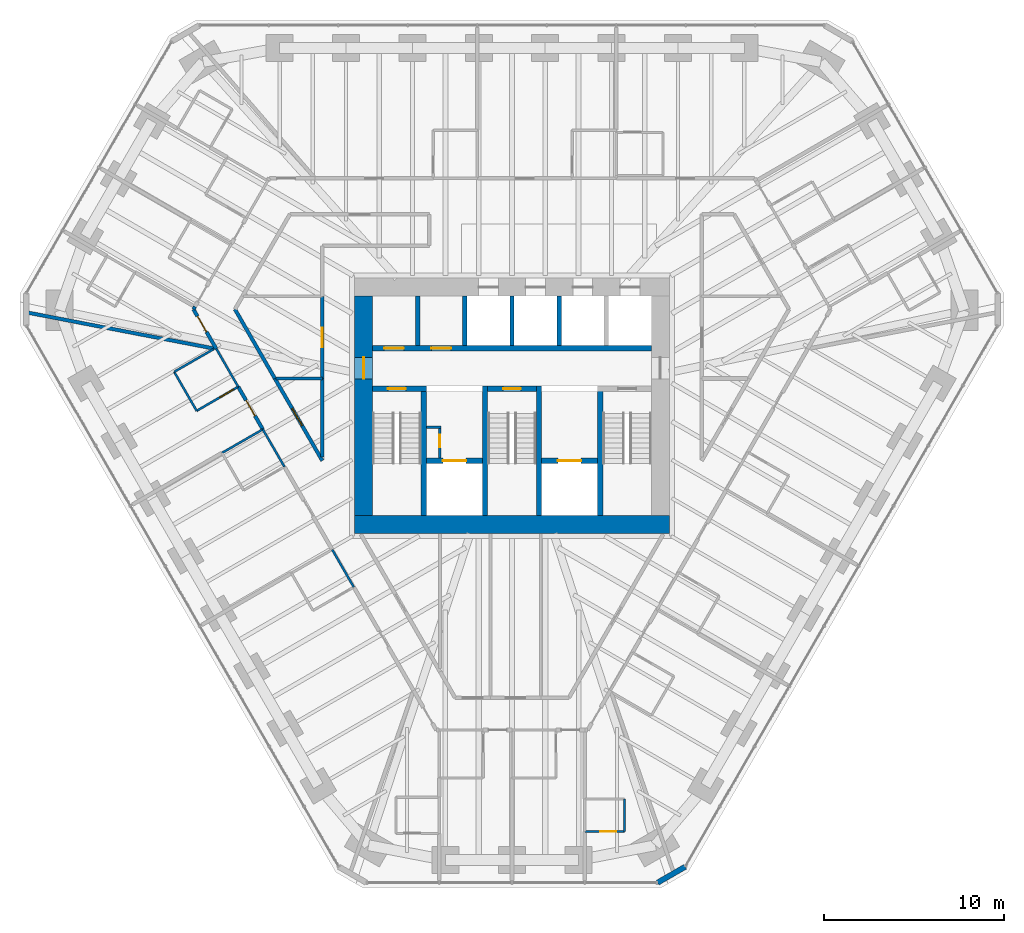
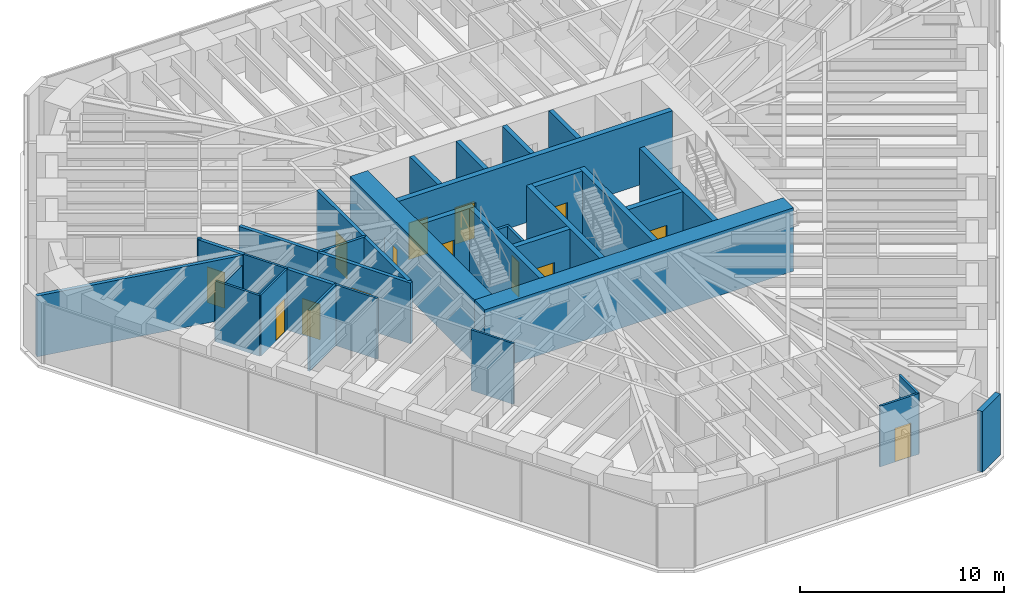
# One storey, part 12 of 17: 36 walls, 14 doors, 14 openings.
"""IFC4 building model written with IfcOpenShell, lengths in metres."""

from ifc_helpers import new_model, si_unit, direction, frame, frame_2d, origin, place, context, subcontext, project, spatial, rectangle, extrude, material, layer, layer_set, type_object, element, fill, save


model = new_model("IFC4")

# Units and contexts
model_context = context("Model", 3, precision=1e-05, world=origin(), true_north=direction((0.0, 1.0)))
body_context = subcontext(model_context, "Body", "Model", "MODEL_VIEW")
ifc_project = project(units=[si_unit("LENGTHUNIT", "METRE"), si_unit("AREAUNIT", "SQUARE_METRE"), si_unit("VOLUMEUNIT", "CUBIC_METRE"), si_unit("PLANEANGLEUNIT", "RADIAN"), si_unit("MASSUNIT", "GRAM", prefix="KILO")], contexts=[model_context])

# Site, building, storey
site_placement = place(None, origin())
site = spatial("IfcSite", under=ifc_project, at=site_placement, CompositionType="ELEMENT")
building_placement = place(site_placement, origin())
building = spatial("IfcBuilding", under=site, at=building_placement, Name="Sandreach Pilgrim Tower", CompositionType="ELEMENT")
storey_placement = place(building_placement, frame((0.0, 0.0, 194.60009765625)))
storey = spatial("IfcBuildingStorey", under=building, at=storey_placement, Name="L48", CompositionType="ELEMENT", Elevation=194.60009765625)

# Walls
ifc_material_1 = material(Name="Gypsum board on steel studs", Category="steel")
ifc_layer_1 = layer(ifc_material_1, 0.14990234375)
ifc_layer_set_1 = layer_set([ifc_layer_1], Name="Back of house wall 150")
wall_type_1 = type_object("IfcWallType", Name="Back of house wall 150", PredefinedType="PARTITIONING", material=ifc_layer_set_1)
wall_1_placement = place(storey_placement, frame((-10.550048828125, 1.52001953125, 0.0), z_axis=(0.0, 0.0, 1.0), x_axis=(-1.0, 0.0, 0.0)))
element("IfcWall", 1, at=wall_1_placement, inside=storey, type_object=wall_type_1, Name="Back of house wall L48-051", PredefinedType="PARTITIONING", context=body_context, shape_type="SweptSolid", body=[
    extrude(rectangle(XDim=2.5849609375, YDim=0.14990234375, at=frame_2d((1.29248046875, 0.0))), origin(), (0.0, 0.0, 1.0), 3.639892578125),
])
ifc_material_2 = material(Name="Moisture-resistant gypsum board on steel studs", Category="steel")
ifc_layer_2 = layer(ifc_material_2, 0.1201171875)
ifc_layer_set_2 = layer_set([ifc_layer_2], Name="Bathroom partition 120")
wall_type_2 = type_object("IfcWallType", Name="Bathroom partition 120", PredefinedType="PARTITIONING", material=ifc_layer_set_2)
wall_2_placement = place(storey_placement, frame((-18.7900390625, 1.889892578125, 0.0), z_axis=(0.0, 0.0, 1.0), x_axis=(0.499159685399, -0.866510016372, 0.0)))
element("IfcWall", 2, at=wall_2_placement, inside=storey, type_object=wall_type_2, Name="Bathroom partition L48-012", PredefinedType="PARTITIONING", context=body_context, shape_type="SweptSolid", body=[
    extrude(rectangle(XDim=2.504150390625, YDim=0.1201171875, at=frame_2d((1.251953125, 0.0))), origin(), (0.0, 0.0, 1.0), 3.639892578125),
])

# Wall, opening, door
wall_3_placement = place(storey_placement, frame((-17.5400390625, -0.280029296875, 0.0), z_axis=(0.0, 0.0, 1.0), x_axis=(0.86498992408, 0.501789229896, 0.0)))
wall_3 = element("IfcWall", 3, at=wall_3_placement, inside=storey, type_object=wall_type_2, Name="Bathroom partition L48-019", PredefinedType="PARTITIONING", context=body_context, shape_type="SweptSolid", body=[
    extrude(rectangle(XDim=2.670654296875, YDim=0.1201171875, at=frame_2d((1.33544921875, 0.0))), origin(), (0.0, 0.0, 1.0), 3.639892578125),
])
opening_1_placement = place(wall_3_placement, frame((1.470458984375, 0.0, 0.0)))
opening_1 = element("IfcOpeningElement", 4, at=opening_1_placement, cuts=wall_3, Name="Opening D09-16B", PredefinedType="OPENING", context=body_context, shape_type="SweptSolid", body=[
    extrude(rectangle(XDim=0.89990234375, YDim=2.030029296875, at=frame_2d((0.449951171875, 1.01513671875))), frame((0.0, 0.06005859375, 0.0), z_axis=(0.0, -1.0, 0.0), x_axis=(1.0, 0.0, 0.0)), (0.0, 0.0, 1.0), 0.1201171875),
])
ifc_material_3 = material(Name="Timber door, steel frame", Category="steel")
door_type_1 = type_object("IfcDoorType", Name="Bathroom door", OperationType="SINGLE_SWING_LEFT", PredefinedType="DOOR", material=ifc_material_3)
door_1_placement = place(opening_1_placement, origin())
door_1 = element("IfcDoor", 5, at=door_1_placement, inside=storey, type_object=door_type_1, Name="Door 4816B", OperationType="SINGLE_SWING_RIGHT", OverallHeight=2.030029296875, OverallWidth=0.89990234375, PredefinedType="DOOR", context=body_context, shape_type="SweptSolid", body=[
    extrude(rectangle(XDim=0.89990234375, YDim=2.030029296875, at=frame_2d((0.449951171875, 1.01513671875))), frame((0.0, 0.02490234375, 0.0), z_axis=(0.0, -1.0, 0.0), x_axis=(1.0, 0.0, 0.0)), (0.0, 0.0, 1.0), 0.050048828125),
])
fill(opening_1, door_1)

# Walls
wall_4_placement = place(storey_placement, frame((-16.623779296875, 3.1376953125, 0.0), z_axis=(0.0, 0.0, 1.0), x_axis=(-0.866525185869, -0.499133351175, 0.0)))
element("IfcWall", 6, at=wall_4_placement, inside=storey, type_object=wall_type_2, Name="Bathroom partition L48-026", PredefinedType="PARTITIONING", context=body_context, shape_type="SweptSolid", body=[
    extrude(rectangle(XDim=2.5, YDim=0.1201171875, at=frame_2d((1.25, 0.0))), origin(), (0.0, 0.0, 1.0), 3.037841796875),
])
wall_5_placement = place(storey_placement, frame((-16.44677734375, 3.171875, 0.0), z_axis=(0.0, 0.0, 1.0), x_axis=(0.499242543719, -0.86646227993, 0.0)))
element("IfcWall", 7, at=wall_5_placement, inside=storey, type_object=wall_type_2, Name="Bathroom partition L48-027", PredefinedType="PARTITIONING", context=body_context, shape_type="SweptSolid", body=[
    extrude(rectangle(XDim=2.437255859375, YDim=0.1201171875, at=frame_2d((1.21875, 0.0))), origin(), (0.0, 0.0, 1.0), 3.639892578125),
])
wall_6_placement = place(storey_placement, frame((-16.1298828125, -2.6201171875, 0.0), z_axis=(0.0, 0.0, 1.0), x_axis=(0.866114241029, 0.499846097802, 0.0)))
element("IfcWall", 8, at=wall_6_placement, inside=storey, type_object=wall_type_2, Name="Bathroom partition L48-029", PredefinedType="PARTITIONING", context=body_context, shape_type="SweptSolid", body=[
    extrude(rectangle(XDim=2.620849609375, YDim=0.1201171875, at=frame_2d((1.310546875, 0.0))), origin(), (0.0, 0.0, 1.0), 3.639892578125),
])
for number, where, z_axis, x_axis, name in (
    (9, (-13.860107421875, -1.31005859375, 0.0), (0.0, 0.0, 1.0), (0.499813401482, -0.866133109688, 0.0), "Bathroom partition L48-040"),
    (10, (-10.0, -8.0, 0.0), (0.0, 0.0, 1.0), (0.498862637731, -0.866681065142, 0.0), "Bathroom partition L48-055"),
):
    element("IfcWall", number, at=place(storey_placement, frame(where, z_axis=z_axis, x_axis=x_axis)), inside=storey, type_object=wall_type_2, Name=name, PredefinedType="PARTITIONING", context=body_context, shape_type="SweptSolid", body=[
        extrude(rectangle(XDim=2.4013671875, YDim=0.1201171875, at=frame_2d((1.20068359375, 0.0))), origin(), (0.0, 0.0, 1.0), 3.639892578125),
    ])

# Wall, opening, door
wall_7_placement = place(storey_placement, frame((4.050048828125, -23.679931640625, 0.0), z_axis=(0.0, 0.0, 1.0), x_axis=(1.0, 0.0, 0.0)))
wall_7 = element("IfcWall", 11, at=wall_7_placement, inside=storey, type_object=wall_type_2, Name="Bathroom partition L48-097", PredefinedType="PARTITIONING", context=body_context, shape_type="SweptSolid", body=[
    extrude(rectangle(XDim=2.199951171875, YDim=0.1201171875, at=frame_2d((1.10009765625, 0.0))), origin(), (0.0, 0.0, 1.0), 3.639892578125),
])
opening_2_placement = place(wall_7_placement, frame((0.85009765625, 0.0, 0.0)))
opening_2 = element("IfcOpeningElement", 12, at=opening_2_placement, cuts=wall_7, Name="Opening D09-10B", PredefinedType="OPENING", context=body_context, shape_type="SweptSolid", body=[
    extrude(rectangle(XDim=0.89990234375, YDim=2.030029296875, at=frame_2d((0.449951171875, 1.01513671875))), frame((0.0, 0.06005859375, 0.0), z_axis=(0.0, -1.0, 0.0), x_axis=(1.0, 0.0, 0.0)), (0.0, 0.0, 1.0), 0.1201171875),
])
door_2_placement = place(opening_2_placement, origin())
door_2 = element("IfcDoor", 13, at=door_2_placement, inside=storey, type_object=door_type_1, Name="Door 4810B", OperationType="SINGLE_SWING_RIGHT", OverallHeight=2.030029296875, OverallWidth=0.89990234375, PredefinedType="DOOR", context=body_context, shape_type="SweptSolid", body=[
    extrude(rectangle(XDim=0.89990234375, YDim=2.030029296875, at=frame_2d((0.449951171875, 1.01513671875))), frame((0.0, 0.02490234375, 0.0), z_axis=(0.0, -1.0, 0.0), x_axis=(1.0, 0.0, 0.0)), (0.0, 0.0, 1.0), 0.050048828125),
])
fill(opening_2, door_2)

# Walls
wall_8_placement = place(storey_placement, frame((6.25, -23.679931640625, 0.0), z_axis=(0.0, 0.0, 1.0), x_axis=(0.0, 1.0, 0.0)))
element("IfcWall", 14, at=wall_8_placement, inside=storey, type_object=wall_type_2, Name="Bathroom partition L48-110", PredefinedType="PARTITIONING", context=body_context, shape_type="SweptSolid", body=[
    extrude(rectangle(XDim=1.809814453125, YDim=0.1201171875, at=frame_2d((0.90478515625, 0.0))), origin(), (0.0, 0.0, 1.0), 3.639892578125),
])
ifc_material_4 = material(Name="Concrete 10000 psi", Category="concrete")
ifc_layer_3 = layer(ifc_material_4, 0.300048828125)
ifc_layer_set_3 = layer_set([ifc_layer_3], Name="Core inner wall 300")
wall_type_3 = type_object("IfcWallType", Name="Core inner wall 300", PredefinedType="SHEAR", material=ifc_layer_set_3)
for number, where, z_axis, x_axis, name in (
    (15, (-4.89990234375, -6.10009765625, 0.0), (0.0, 0.0, 1.0), (0.0, 1.0, 0.0), "Core wall I0 L48"),
    (16, (-1.5, -6.10009765625, 0.0), (0.0, 0.0, 1.0), (0.0, 1.0, 0.0), "Core wall I1 L48"),
    (17, (1.5, -6.10009765625, 0.0), (0.0, 0.0, 1.0), (0.0, 1.0, 0.0), "Core wall I2 L48"),
    (18, (4.89990234375, -6.10009765625, 0.0), (0.0, 0.0, 1.0), (0.0, 1.0, 0.0), "Core wall I3 L48"),
):
    element("IfcWall", number, at=place(storey_placement, frame(where, z_axis=z_axis, x_axis=x_axis)), inside=storey, type_object=wall_type_3, Name=name, PredefinedType="SHEAR", context=body_context, shape_type="SweptSolid", body=[
        extrude(rectangle(XDim=7.2001953125, YDim=0.300048828125, at=frame_2d((3.60009765625, 0.0))), origin(), (0.0, 0.0, 1.0), 3.7998046875),
    ])

# Wall, opening, door
wall_9_placement = place(storey_placement, frame((-7.75, 0.949951171875, 0.0), z_axis=(0.0, 0.0, 1.0), x_axis=(1.0, 0.0, 0.0)))
wall_9 = element("IfcWall", 19, at=wall_9_placement, inside=storey, type_object=wall_type_3, Name="Core wall SN1 L48", PredefinedType="SHEAR", context=body_context, shape_type="SweptSolid", body=[
    extrude(rectangle(XDim=3.0, YDim=0.300048828125, at=frame_2d((1.5, 0.0))), origin(), (0.0, 0.0, 1.0), 3.7998046875),
])
opening_3_placement = place(wall_9_placement, frame((0.85009765625, 0.0, 0.0)))
opening_3 = element("IfcOpeningElement", 20, at=opening_3_placement, cuts=wall_9, Name="Opening D10S-ST1", PredefinedType="OPENING", context=body_context, shape_type="SweptSolid", body=[
    extrude(rectangle(XDim=1.0, YDim=2.199951171875, at=frame_2d((0.5, 1.10009765625))), frame((0.0, 0.14990234375, 0.0), z_axis=(0.0, -1.0, 0.0), x_axis=(1.0, 0.0, 0.0)), (0.0, 0.0, 1.0), 0.300048828125),
])
ifc_material_5 = material(Name="Steel door and frame", Category="steel")
door_type_2 = type_object("IfcDoorType", Name="Stair door", OperationType="SINGLE_SWING_LEFT", PredefinedType="DOOR", material=ifc_material_5)
door_3_placement = place(opening_3_placement, origin())
door_3 = element("IfcDoor", 21, at=door_3_placement, inside=storey, type_object=door_type_2, Name="Stair door ST1 L48", OperationType="SINGLE_SWING_LEFT", OverallHeight=2.199951171875, OverallWidth=1.0, PredefinedType="DOOR", context=body_context, shape_type="SweptSolid", body=[
    extrude(rectangle(XDim=1.0, YDim=2.199951171875, at=frame_2d((0.5, 1.10009765625))), frame((0.0, 0.02490234375, 0.0), z_axis=(0.0, -1.0, 0.0), x_axis=(1.0, 0.0, 0.0)), (0.0, 0.0, 1.0), 0.050048828125),
])
fill(opening_3, door_3)

wall_10_placement = place(storey_placement, frame((-1.35009765625, 0.949951171875, 0.0), z_axis=(0.0, 0.0, 1.0), x_axis=(1.0, 0.0, 0.0)))
wall_10 = element("IfcWall", 22, at=wall_10_placement, inside=storey, type_object=wall_type_3, Name="Core wall SN3 L48", PredefinedType="SHEAR", context=body_context, shape_type="SweptSolid", body=[
    extrude(rectangle(XDim=2.7001953125, YDim=0.300048828125, at=frame_2d((1.35009765625, 0.0))), origin(), (0.0, 0.0, 1.0), 3.7998046875),
])
opening_4_placement = place(wall_10_placement, frame((0.85009765625, 0.0, 0.0)))
opening_4 = element("IfcOpeningElement", 23, at=opening_4_placement, cuts=wall_10, Name="Opening D10S-ST3", PredefinedType="OPENING", context=body_context, shape_type="SweptSolid", body=[
    extrude(rectangle(XDim=1.0, YDim=2.199951171875, at=frame_2d((0.5, 1.10009765625))), frame((0.0, 0.14990234375, 0.0), z_axis=(0.0, -1.0, 0.0), x_axis=(1.0, 0.0, 0.0)), (0.0, 0.0, 1.0), 0.300048828125),
])
door_4_placement = place(opening_4_placement, origin())
door_4 = element("IfcDoor", 24, at=door_4_placement, inside=storey, type_object=door_type_2, Name="Stair door ST3 L48", OperationType="SINGLE_SWING_LEFT", OverallHeight=2.199951171875, OverallWidth=1.0, PredefinedType="DOOR", context=body_context, shape_type="SweptSolid", body=[
    extrude(rectangle(XDim=1.0, YDim=2.199951171875, at=frame_2d((0.5, 1.10009765625))), frame((0.0, 0.02490234375, 0.0), z_axis=(0.0, -1.0, 0.0), x_axis=(1.0, 0.0, 0.0)), (0.0, 0.0, 1.0), 0.050048828125),
])
fill(opening_4, door_4)

wall_11_placement = place(storey_placement, frame((-4.75, -3.050048828125, 0.0), z_axis=(0.0, 0.0, 1.0), x_axis=(1.0, 0.0, 0.0)))
wall_11 = element("IfcWall", 25, at=wall_11_placement, inside=storey, type_object=wall_type_3, Name="Core wall FL1 L48", PredefinedType="SHEAR", context=body_context, shape_type="SweptSolid", body=[
    extrude(rectangle(XDim=3.10009765625, YDim=0.300048828125, at=frame_2d((1.550048828125, 0.0))), origin(), (0.0, 0.0, 1.0), 3.7998046875),
])
opening_5_placement = place(wall_11_placement, frame((0.89990234375, 0.0, 0.0)))
opening_5 = element("IfcOpeningElement", 26, at=opening_5_placement, cuts=wall_11, Name="Opening LD13", PredefinedType="OPENING", context=body_context, shape_type="SweptSolid", body=[
    extrude(rectangle(XDim=1.300048828125, YDim=2.10009765625, at=frame_2d((0.64990234375, 1.050048828125))), frame((0.0, 0.14990234375, 0.0), z_axis=(0.0, -1.0, 0.0), x_axis=(1.0, 0.0, 0.0)), (0.0, 0.0, 1.0), 0.300048828125),
])
ifc_material_6 = material(Name="Steel door and frame", Category="steel")
door_type_3 = type_object("IfcDoorType", Name="Fire service lift landing door", OperationType="DOUBLE_DOOR_SLIDING", PredefinedType="DOOR", material=ifc_material_6)
door_5_placement = place(opening_5_placement, origin())
door_5 = element("IfcDoor", 27, at=door_5_placement, inside=storey, type_object=door_type_3, Name="Lift landing door FS1 L48", OperationType="DOUBLE_DOOR_SLIDING", OverallHeight=2.10009765625, OverallWidth=1.300048828125, PredefinedType="DOOR", context=body_context, shape_type="SweptSolid", body=[
    extrude(rectangle(XDim=1.300048828125, YDim=2.10009765625, at=frame_2d((0.64990234375, 1.050048828125))), frame((0.0, 0.02490234375, 0.0), z_axis=(0.0, -1.0, 0.0), x_axis=(1.0, 0.0, 0.0)), (0.0, 0.0, 1.0), 0.050048828125),
])
fill(opening_5, door_5)

wall_12_placement = place(storey_placement, frame((1.64990234375, -3.050048828125, 0.0), z_axis=(0.0, 0.0, 1.0), x_axis=(1.0, 0.0, 0.0)))
wall_12 = element("IfcWall", 28, at=wall_12_placement, inside=storey, type_object=wall_type_3, Name="Core wall FL2 L48", PredefinedType="SHEAR", context=body_context, shape_type="SweptSolid", body=[
    extrude(rectangle(XDim=3.10009765625, YDim=0.300048828125, at=frame_2d((1.550048828125, 0.0))), origin(), (0.0, 0.0, 1.0), 3.7998046875),
])
opening_6_placement = place(wall_12_placement, frame((0.89990234375, 0.0, 0.0)))
opening_6 = element("IfcOpeningElement", 29, at=opening_6_placement, cuts=wall_12, Name="Opening LD13", PredefinedType="OPENING", context=body_context, shape_type="SweptSolid", body=[
    extrude(rectangle(XDim=1.300048828125, YDim=2.10009765625, at=frame_2d((0.64990234375, 1.050048828125))), frame((0.0, 0.14990234375, 0.0), z_axis=(0.0, -1.0, 0.0), x_axis=(1.0, 0.0, 0.0)), (0.0, 0.0, 1.0), 0.300048828125),
])
door_6_placement = place(opening_6_placement, origin())
door_6 = element("IfcDoor", 30, at=door_6_placement, inside=storey, type_object=door_type_3, Name="Lift landing door FS2 L48", OperationType="DOUBLE_DOOR_SLIDING", OverallHeight=2.10009765625, OverallWidth=1.300048828125, PredefinedType="DOOR", context=body_context, shape_type="SweptSolid", body=[
    extrude(rectangle(XDim=1.300048828125, YDim=2.10009765625, at=frame_2d((0.64990234375, 1.050048828125))), frame((0.0, 0.02490234375, 0.0), z_axis=(0.0, -1.0, 0.0), x_axis=(1.0, 0.0, 0.0)), (0.0, 0.0, 1.0), 0.050048828125),
])
fill(opening_6, door_6)

# Wall, openings, doors
wall_13_placement = place(storey_placement, frame((-7.75, 3.199951171875, 0.0), z_axis=(0.0, 0.0, 1.0), x_axis=(1.0, 0.0, 0.0)))
wall_13 = element("IfcWall", 31, at=wall_13_placement, inside=storey, type_object=wall_type_3, Name="Core wall PN L48", PredefinedType="SHEAR", context=body_context, shape_type="SweptSolid", body=[
    extrude(rectangle(XDim=15.5, YDim=0.300048828125, at=frame_2d((7.75, 0.0))), origin(), (0.0, 0.0, 1.0), 3.7998046875),
])
opening_7_placement = place(wall_13_placement, frame((0.637451171875, 0.0, 0.0)))
opening_7 = element("IfcOpeningElement", 32, at=opening_7_placement, cuts=wall_13, Name="Opening D11L", PredefinedType="OPENING", context=body_context, shape_type="SweptSolid", body=[
    extrude(rectangle(XDim=1.10009765625, YDim=2.199951171875, at=frame_2d((0.550048828125, 1.10009765625))), frame((0.0, 0.14990234375, 0.0), z_axis=(0.0, -1.0, 0.0), x_axis=(1.0, 0.0, 0.0)), (0.0, 0.0, 1.0), 0.300048828125),
])
opening_8_placement = place(wall_13_placement, frame((3.262451171875, 0.0, 0.0)))
opening_8 = element("IfcOpeningElement", 33, at=opening_8_placement, cuts=wall_13, Name="Opening D11L", PredefinedType="OPENING", context=body_context, shape_type="SweptSolid", body=[
    extrude(rectangle(XDim=1.10009765625, YDim=2.199951171875, at=frame_2d((0.550048828125, 1.10009765625))), frame((0.0, 0.14990234375, 0.0), z_axis=(0.0, -1.0, 0.0), x_axis=(1.0, 0.0, 0.0)), (0.0, 0.0, 1.0), 0.300048828125),
])
ifc_material_7 = material(Name="Steel door and frame, smoke seals", Category="steel")
door_type_4 = type_object("IfcDoorType", Name="Core room door", OperationType="SINGLE_SWING_LEFT", PredefinedType="DOOR", material=ifc_material_7)
door_7_placement = place(opening_7_placement, origin())
door_7 = element("IfcDoor", 34, at=door_7_placement, inside=storey, type_object=door_type_4, Name="Door guest pantry 48K1", OperationType="SINGLE_SWING_LEFT", OverallHeight=2.199951171875, OverallWidth=1.10009765625, PredefinedType="DOOR", context=body_context, shape_type="SweptSolid", body=[
    extrude(rectangle(XDim=1.10009765625, YDim=2.199951171875, at=frame_2d((0.550048828125, 1.10009765625))), frame((0.0, 0.02490234375, 0.0), z_axis=(0.0, -1.0, 0.0), x_axis=(1.0, 0.0, 0.0)), (0.0, 0.0, 1.0), 0.050048828125),
])
fill(opening_7, door_7)
door_8_placement = place(opening_8_placement, origin())
door_8 = element("IfcDoor", 35, at=door_8_placement, inside=storey, type_object=door_type_4, Name="Door it room 48K2", OperationType="SINGLE_SWING_LEFT", OverallHeight=2.199951171875, OverallWidth=1.10009765625, PredefinedType="DOOR", context=body_context, shape_type="SweptSolid", body=[
    extrude(rectangle(XDim=1.10009765625, YDim=2.199951171875, at=frame_2d((0.550048828125, 1.10009765625))), frame((0.0, 0.02490234375, 0.0), z_axis=(0.0, -1.0, 0.0), x_axis=(1.0, 0.0, 0.0)), (0.0, 0.0, 1.0), 0.050048828125),
])
fill(opening_8, door_8)

# Wall
ifc_material_8 = material(Name="Concrete 10000 psi", Category="concrete")
ifc_layer_4 = layer(ifc_material_8, 1.0)
ifc_layer_set_4 = layer_set([ifc_layer_4], Name="Core wall 1000")
wall_type_4 = type_object("IfcWallType", Name="Core wall 1000", PredefinedType="SHEAR", material=ifc_layer_set_4)
wall_14_placement = place(storey_placement, frame((-8.75, -6.60009765625, 0.0), z_axis=(0.0, 0.0, 1.0), x_axis=(1.0, 0.0, 0.0)))
element("IfcWall", 36, at=wall_14_placement, inside=storey, type_object=wall_type_4, Name="Core wall S L48", PredefinedType="SHEAR", context=body_context, shape_type="SweptSolid", body=[
    extrude(rectangle(XDim=17.5, YDim=1.0, at=frame_2d((8.75, 0.0))), origin(), (0.0, 0.0, 1.0), 3.7998046875),
])

# Wall, opening, door
wall_15_placement = place(storey_placement, frame((-8.25, -6.10009765625, 0.0), z_axis=(0.0, 0.0, 1.0), x_axis=(0.0, 1.0, 0.0)))
wall_15 = element("IfcWall", 37, at=wall_15_placement, inside=storey, type_object=wall_type_4, Name="Core wall W L48", PredefinedType="SHEAR", context=body_context, shape_type="SweptSolid", body=[
    extrude(rectangle(XDim=12.2001953125, YDim=1.0, at=frame_2d((6.10009765625, 0.0))), origin(), (0.0, 0.0, 1.0), 3.7998046875),
])
opening_9_placement = place(wall_15_placement, frame((7.60009765625, 0.0, 0.0)))
opening_9 = element("IfcOpeningElement", 38, at=opening_9_placement, cuts=wall_15, Name="Opening D12F-W", PredefinedType="OPENING", context=body_context, shape_type="SweptSolid", body=[
    extrude(rectangle(XDim=1.199951171875, YDim=2.199951171875, at=frame_2d((0.60009765625, 1.10009765625))), frame((0.0, 0.5, 0.0), z_axis=(0.0, -1.0, 0.0), x_axis=(1.0, 0.0, 0.0)), (0.0, 0.0, 1.0), 1.0),
])
ifc_material_9 = material(Name="Steel door and frame", Category="steel")
door_type_5 = type_object("IfcDoorType", Name="Fire lobby door", OperationType="SINGLE_SWING_LEFT", PredefinedType="DOOR", material=ifc_material_9)
door_9_placement = place(opening_9_placement, origin())
door_9 = element("IfcDoor", 39, at=door_9_placement, inside=storey, type_object=door_type_5, Name="Fire service lobby door W L48", OperationType="SINGLE_SWING_RIGHT", OverallHeight=2.199951171875, OverallWidth=1.199951171875, PredefinedType="DOOR", context=body_context, shape_type="SweptSolid", body=[
    extrude(rectangle(XDim=1.199951171875, YDim=2.199951171875, at=frame_2d((0.60009765625, 1.10009765625))), frame((0.0, 0.02490234375, 0.0), z_axis=(0.0, -1.0, 0.0), x_axis=(1.0, 0.0, 0.0)), (0.0, 0.0, 1.0), 0.050048828125),
])
fill(opening_9, door_9)

ifc_material_10 = material(Name="Gypsum board on steel studs, two layers each side", Category="steel")
ifc_layer_5 = layer(ifc_material_10, 0.199951171875)
ifc_layer_set_5 = layer_set([ifc_layer_5], Name="Corridor wall 200")
wall_type_5 = type_object("IfcWallType", Name="Corridor wall 200", PredefinedType="PARTITIONING", material=ifc_layer_set_5)
wall_16_placement = place(storey_placement, frame((-17.719970703125, 5.3701171875, 0.0), z_axis=(0.0, 0.0, 1.0), x_axis=(0.499922110319, -0.866070368743, 0.0)))
wall_16 = element("IfcWall", 40, at=wall_16_placement, inside=storey, type_object=wall_type_5, Name="Corridor wall L48-016", PredefinedType="PARTITIONING", context=body_context, shape_type="SweptSolid", body=[
    extrude(rectangle(XDim=2.54052734375, YDim=0.199951171875, at=frame_2d((1.270263671875, 0.0))), origin(), (0.0, 0.0, 1.0), 3.639892578125),
])
opening_10_placement = place(wall_16_placement, frame((0.449951171875, 0.0, 0.0)))
opening_10 = element("IfcOpeningElement", 41, at=opening_10_placement, cuts=wall_16, Name="Opening D10-17", PredefinedType="OPENING", context=body_context, shape_type="SweptSolid", body=[
    extrude(rectangle(XDim=1.0, YDim=2.1298828125, at=frame_2d((0.5, 1.06494140625))), frame((0.0, 0.10009765625, 0.0), z_axis=(0.0, -1.0, 0.0), x_axis=(1.0, 0.0, 0.0)), (0.0, 0.0, 1.0), 0.199951171875),
])
ifc_material_11 = material(Name="Steel door and frame", Category="steel")
door_type_6 = type_object("IfcDoorType", Name="Guest room entry door", OperationType="SINGLE_SWING_LEFT", PredefinedType="DOOR", material=ifc_material_11)
door_10_placement = place(opening_10_placement, origin())
door_10 = element("IfcDoor", 42, at=door_10_placement, inside=storey, type_object=door_type_6, Name="Door 4817", OperationType="SINGLE_SWING_LEFT", OverallHeight=2.1298828125, OverallWidth=1.0, PredefinedType="DOOR", context=body_context, shape_type="SweptSolid", body=[
    extrude(rectangle(XDim=1.0, YDim=2.1298828125, at=frame_2d((0.5, 1.06494140625))), frame((0.0, 0.02490234375, 0.0), z_axis=(0.0, -1.0, 0.0), x_axis=(1.0, 0.0, 0.0)), (0.0, 0.0, 1.0), 0.050048828125),
])
fill(opening_10, door_10)

# Wall
wall_17_placement = place(storey_placement, frame((-17.6298828125, 5.510009765625, 0.0), z_axis=(0.0, 0.0, 1.0), x_axis=(-0.541424846284, -0.840749151547, 0.0)))
element("IfcWall", 43, at=wall_17_placement, inside=storey, type_object=wall_type_5, Name="Corridor wall L48-018", PredefinedType="PARTITIONING", context=body_context, shape_type="SweptSolid", body=[
    extrude(rectangle(XDim=0.16650390625, YDim=0.199951171875, at=frame_2d((0.083251953125, 0.0))), origin(), (0.0, 0.0, 1.0), 3.639892578125),
])

# Wall, opening, door
wall_18_placement = place(storey_placement, frame((-15.22998046875, 1.06005859375, 0.0), z_axis=(0.0, 0.0, 1.0), x_axis=(0.500406860043, -0.865790375565, 0.0)))
wall_18 = element("IfcWall", 44, at=wall_18_placement, inside=storey, type_object=wall_type_5, Name="Corridor wall L48-035", PredefinedType="PARTITIONING", context=body_context, shape_type="SweptSolid", body=[
    extrude(rectangle(XDim=2.737548828125, YDim=0.199951171875, at=frame_2d((1.36865234375, 0.0))), origin(), (0.0, 0.0, 1.0), 3.639892578125),
])
opening_11_placement = place(wall_18_placement, frame((0.86865234375, 0.0, 0.0)))
opening_11 = element("IfcOpeningElement", 45, at=opening_11_placement, cuts=wall_18, Name="Opening D10-16", PredefinedType="OPENING", context=body_context, shape_type="SweptSolid", body=[
    extrude(rectangle(XDim=1.0, YDim=2.1298828125, at=frame_2d((0.5, 1.06494140625))), frame((0.0, 0.10009765625, 0.0), z_axis=(0.0, -1.0, 0.0), x_axis=(1.0, 0.0, 0.0)), (0.0, 0.0, 1.0), 0.199951171875),
])
door_11_placement = place(opening_11_placement, origin())
door_11 = element("IfcDoor", 46, at=door_11_placement, inside=storey, type_object=door_type_6, Name="Door 4816", OperationType="SINGLE_SWING_LEFT", OverallHeight=2.1298828125, OverallWidth=1.0, PredefinedType="DOOR", context=body_context, shape_type="SweptSolid", body=[
    extrude(rectangle(XDim=1.0, YDim=2.1298828125, at=frame_2d((0.5, 1.06494140625))), frame((0.0, 0.02490234375, 0.0), z_axis=(0.0, -1.0, 0.0), x_axis=(1.0, 0.0, 0.0)), (0.0, 0.0, 1.0), 0.050048828125),
])
fill(opening_11, door_11)

# Wall
wall_19_placement = place(storey_placement, frame((-13.18994140625, 1.52001953125, 0.0), z_axis=(0.0, 0.0, 1.0), x_axis=(-0.499513190454, 0.866306281036, 0.0)))
element("IfcWall", 47, at=wall_19_placement, inside=storey, type_object=wall_type_5, Name="Corridor wall L48-042", PredefinedType="PARTITIONING", context=body_context, shape_type="SweptSolid", body=[
    extrude(rectangle(XDim=4.4443359375, YDim=0.199951171875, at=frame_2d((2.22216796875, 0.0))), origin(), (0.0, 0.0, 1.0), 3.639892578125),
])

# Wall, opening, door
wall_20_placement = place(storey_placement, frame((-10.550048828125, -3.050048828125, 0.0), z_axis=(0.0, 0.0, 1.0), x_axis=(-0.500193590286, 0.865913605527, 0.0)))
wall_20 = element("IfcWall", 48, at=wall_20_placement, inside=storey, type_object=wall_type_5, Name="Corridor wall L48-050", PredefinedType="PARTITIONING", context=body_context, shape_type="SweptSolid", body=[
    extrude(rectangle(XDim=5.27783203125, YDim=0.199951171875, at=frame_2d((2.638916015625, 0.0))), origin(), (0.0, 0.0, 1.0), 3.639892578125),
])
opening_12_placement = place(wall_20_placement, frame((2.25, 0.0, 0.0)))
opening_12 = element("IfcOpeningElement", 49, at=opening_12_placement, cuts=wall_20, Name="Opening D11H-M02", PredefinedType="OPENING", context=body_context, shape_type="SweptSolid", body=[
    extrude(rectangle(XDim=1.10009765625, YDim=2.199951171875, at=frame_2d((0.550048828125, 1.10009765625))), frame((0.0, 0.10009765625, 0.0), z_axis=(0.0, -1.0, 0.0), x_axis=(1.0, 0.0, 0.0)), (0.0, 0.0, 1.0), 0.199951171875),
])
ifc_material_12 = material(Name="Steel door and frame", Category="steel")
door_type_7 = type_object("IfcDoorType", Name="Back of house door", OperationType="SINGLE_SWING_LEFT", PredefinedType="DOOR", material=ifc_material_12)
door_12_placement = place(opening_12_placement, origin())
door_12 = element("IfcDoor", 50, at=door_12_placement, inside=storey, type_object=door_type_7, Name="Door 48M02", OperationType="SINGLE_SWING_RIGHT", OverallHeight=2.199951171875, OverallWidth=1.10009765625, PredefinedType="DOOR", context=body_context, shape_type="SweptSolid", body=[
    extrude(rectangle(XDim=1.10009765625, YDim=2.199951171875, at=frame_2d((0.550048828125, 1.10009765625))), frame((0.0, 0.02490234375, 0.0), z_axis=(0.0, -1.0, 0.0), x_axis=(1.0, 0.0, 0.0)), (0.0, 0.0, 1.0), 0.050048828125),
])
fill(opening_12, door_12)

# Wall
wall_21_placement = place(storey_placement, frame((-10.550048828125, 1.52001953125, 0.0), z_axis=(0.0, 0.0, 1.0), x_axis=(0.0, -1.0, 0.0)))
element("IfcWall", 51, at=wall_21_placement, inside=storey, type_object=wall_type_5, Name="Corridor wall L48-052", PredefinedType="PARTITIONING", context=body_context, shape_type="SweptSolid", body=[
    extrude(rectangle(XDim=4.375, YDim=0.199951171875, at=frame_2d((2.1875, 0.0))), origin(), (0.0, 0.0, 1.0), 3.639892578125),
])

# Wall, opening, door
wall_22_placement = place(storey_placement, frame((-10.550048828125, 6.090087890625, 0.0), z_axis=(0.0, 0.0, 1.0), x_axis=(0.0, -1.0, 0.0)))
wall_22 = element("IfcWall", 52, at=wall_22_placement, inside=storey, type_object=wall_type_5, Name="Corridor wall L48-053", PredefinedType="PARTITIONING", context=body_context, shape_type="SweptSolid", body=[
    extrude(rectangle(XDim=4.570068359375, YDim=0.199951171875, at=frame_2d((2.28515625, 0.0))), origin(), (0.0, 0.0, 1.0), 3.639892578125),
])
opening_13_placement = place(wall_22_placement, frame((1.735107421875, 0.0, 0.0)))
opening_13 = element("IfcOpeningElement", 53, at=opening_13_placement, cuts=wall_22, Name="Opening D11H-M01", PredefinedType="OPENING", context=body_context, shape_type="SweptSolid", body=[
    extrude(rectangle(XDim=1.10009765625, YDim=2.199951171875, at=frame_2d((0.550048828125, 1.10009765625))), frame((0.0, 0.10009765625, 0.0), z_axis=(0.0, -1.0, 0.0), x_axis=(1.0, 0.0, 0.0)), (0.0, 0.0, 1.0), 0.199951171875),
])
door_13_placement = place(opening_13_placement, origin())
door_13 = element("IfcDoor", 54, at=door_13_placement, inside=storey, type_object=door_type_7, Name="Door 48M01", OperationType="SINGLE_SWING_LEFT", OverallHeight=2.199951171875, OverallWidth=1.10009765625, PredefinedType="DOOR", context=body_context, shape_type="SweptSolid", body=[
    extrude(rectangle(XDim=1.10009765625, YDim=2.199951171875, at=frame_2d((0.550048828125, 1.10009765625))), frame((0.0, 0.02490234375, 0.0), z_axis=(0.0, -1.0, 0.0), x_axis=(1.0, 0.0, 0.0)), (0.0, 0.0, 1.0), 0.050048828125),
])
fill(opening_13, door_13)

# Wall
ifc_material_13 = material(Name="Double steel stud acoustic wall, gypsum board", Category="steel")
ifc_layer_6 = layer(ifc_material_13, 0.199951171875)
ifc_layer_set_6 = layer_set([ifc_layer_6], Name="Party wall 200")
wall_type_6 = type_object("IfcWallType", Name="Party wall 200", PredefinedType="PARTITIONING", material=ifc_layer_set_6)
wall_23_placement = place(storey_placement, frame((-27.04052734375, 5.204345703125, 0.0), z_axis=(0.0, 0.0, 1.0), x_axis=(0.981884490433, -0.18948046719, 0.0)))
element("IfcWall", 55, at=wall_23_placement, inside=storey, type_object=wall_type_6, Name="Party wall L48-001", PredefinedType="PARTITIONING", context=body_context, shape_type="SweptSolid", body=[
    extrude(rectangle(XDim=10.68408203125, YDim=0.199951171875, at=frame_2d((5.342041015625, 0.0))), origin(), (0.0, 0.0, 1.0), 3.639892578125),
])

# Wall, opening, door
ifc_material_14 = material(Name="Gypsum shaft wall on steel studs, shaft liner board", Category="steel")
ifc_layer_7 = layer(ifc_material_14, 0.14990234375)
ifc_layer_set_7 = layer_set([ifc_layer_7], Name="Riser shaft wall 150")
wall_type_7 = type_object("IfcWallType", Name="Riser shaft wall 150", PredefinedType="PARTITIONING", material=ifc_layer_set_7)
wall_24_placement = place(storey_placement, frame((-4.02490234375, -2.89990234375, 0.0), z_axis=(0.0, 0.0, 1.0), x_axis=(0.0, 1.0, 0.0)))
wall_24 = element("IfcWall", 56, at=wall_24_placement, inside=storey, type_object=wall_type_7, Name="Riser partition L48 side", PredefinedType="PARTITIONING", context=body_context, shape_type="SweptSolid", body=[
    extrude(rectangle(XDim=1.77490234375, YDim=0.14990234375, at=frame_2d((0.887451171875, 0.0))), origin(), (0.0, 0.0, 1.0), 3.639892578125),
])
opening_14_placement = place(wall_24_placement, frame((0.60009765625, 0.0, 0.0)))
opening_14 = element("IfcOpeningElement", 57, at=opening_14_placement, cuts=wall_24, Name="Opening D07R", PredefinedType="OPENING", context=body_context, shape_type="SweptSolid", body=[
    extrude(rectangle(XDim=0.699951171875, YDim=2.10009765625, at=frame_2d((0.35009765625, 1.050048828125))), frame((0.0, 0.074951171875, 0.0), z_axis=(0.0, -1.0, 0.0), x_axis=(1.0, 0.0, 0.0)), (0.0, 0.0, 1.0), 0.14990234375),
])
ifc_material_15 = material(Name="Steel door and frame, smoke seals", Category="steel")
door_type_8 = type_object("IfcDoorType", Name="Riser access door", OperationType="SINGLE_SWING_RIGHT", PredefinedType="DOOR", material=ifc_material_15)
door_14_placement = place(opening_14_placement, origin())
door_14 = element("IfcDoor", 58, at=door_14_placement, inside=storey, type_object=door_type_8, Name="Door riser 48ER", OperationType="SINGLE_SWING_RIGHT", OverallHeight=2.10009765625, OverallWidth=0.699951171875, PredefinedType="DOOR", context=body_context, shape_type="SweptSolid", body=[
    extrude(rectangle(XDim=0.699951171875, YDim=2.10009765625, at=frame_2d((0.35009765625, 1.050048828125))), frame((0.0, 0.02490234375, 0.0), z_axis=(0.0, -1.0, 0.0), x_axis=(1.0, 0.0, 0.0)), (0.0, 0.0, 1.0), 0.050048828125),
])
fill(opening_14, door_14)

# Walls
wall_25_placement = place(storey_placement, frame((-4.75, -1.199951171875, 0.0), z_axis=(0.0, 0.0, 1.0), x_axis=(1.0, 0.0, 0.0)))
element("IfcWall", 59, at=wall_25_placement, inside=storey, type_object=wall_type_7, Name="Riser partition L48 front", PredefinedType="PARTITIONING", context=body_context, shape_type="SweptSolid", body=[
    extrude(rectangle(XDim=0.800048828125, YDim=0.14990234375, at=frame_2d((0.39990234375, 0.0))), origin(), (0.0, 0.0, 1.0), 3.639892578125),
])
ifc_material_16 = material(Name="Gypsum shaft wall on steel studs, two layers of shaft liner board", Category="steel")
ifc_layer_8 = layer(ifc_material_16, 0.25)
ifc_layer_set_8 = layer_set([ifc_layer_8], Name="Shaft partition 250")
wall_type_8 = type_object("IfcWallType", Name="Shaft partition 250", PredefinedType="PARTITIONING", material=ifc_layer_set_8)
for number, where, z_axis, x_axis, name in (
    (60, (-5.25, 3.35009765625, 0.0), (0.0, 0.0, 1.0), (0.0, 1.0, 0.0), "Shaft partition NS0 L48"),
    (61, (-2.625, 3.35009765625, 0.0), (0.0, 0.0, 1.0), (0.0, 1.0, 0.0), "Shaft partition NS1 L48"),
    (62, (0.0, 3.35009765625, 0.0), (0.0, 0.0, 1.0), (0.0, 1.0, 0.0), "Shaft partition NS2 L48"),
    (63, (2.625, 3.35009765625, 0.0), (0.0, 0.0, 1.0), (0.0, 1.0, 0.0), "Shaft partition NS3 L48"),
):
    element("IfcWall", number, at=place(storey_placement, frame(where, z_axis=z_axis, x_axis=x_axis)), inside=storey, type_object=wall_type_8, Name=name, PredefinedType="PARTITIONING", context=body_context, shape_type="SweptSolid", body=[
        extrude(rectangle(XDim=2.75, YDim=0.25, at=frame_2d((1.375, 0.0))), origin(), (0.0, 0.0, 1.0), 3.7998046875),
    ])
ifc_material_17 = material(Name="Terracotta rainscreen on concrete", Category="masonry")
ifc_layer_9 = layer(ifc_material_17, 0.300048828125)
ifc_layer_set_9 = layer_set([ifc_layer_9], Name="Terracotta chamfer pier")
wall_type_9 = type_object("IfcWallType", Name="Terracotta chamfer pier", PredefinedType="SOLIDWALL", material=ifc_layer_set_9)
wall_26_placement = place(storey_placement, frame((9.63037109375, -25.64013671875, 0.0), z_axis=(0.0, 0.0, 1.0), x_axis=(-0.866036293601, -0.499981137809, 0.0)))
element("IfcWall", 64, at=wall_26_placement, inside=storey, type_object=wall_type_9, Name="Chamfer pier L48 SE", PredefinedType="SOLIDWALL", context=body_context, shape_type="SweptSolid", body=[
    extrude(rectangle(XDim=1.77001953125, YDim=0.300048828125, at=frame_2d((0.885009765625, 0.0))), origin(), (0.0, 0.0, 1.0), 3.639892578125),
])

save(model, "model.ifc")
